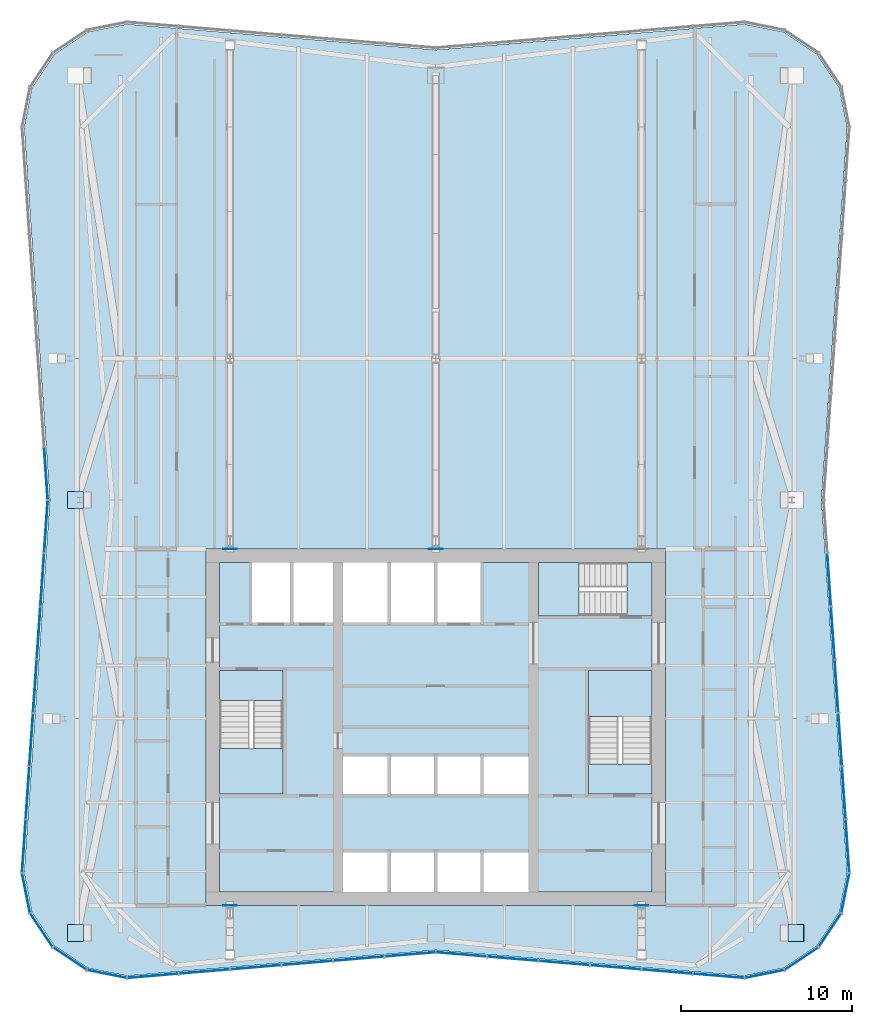
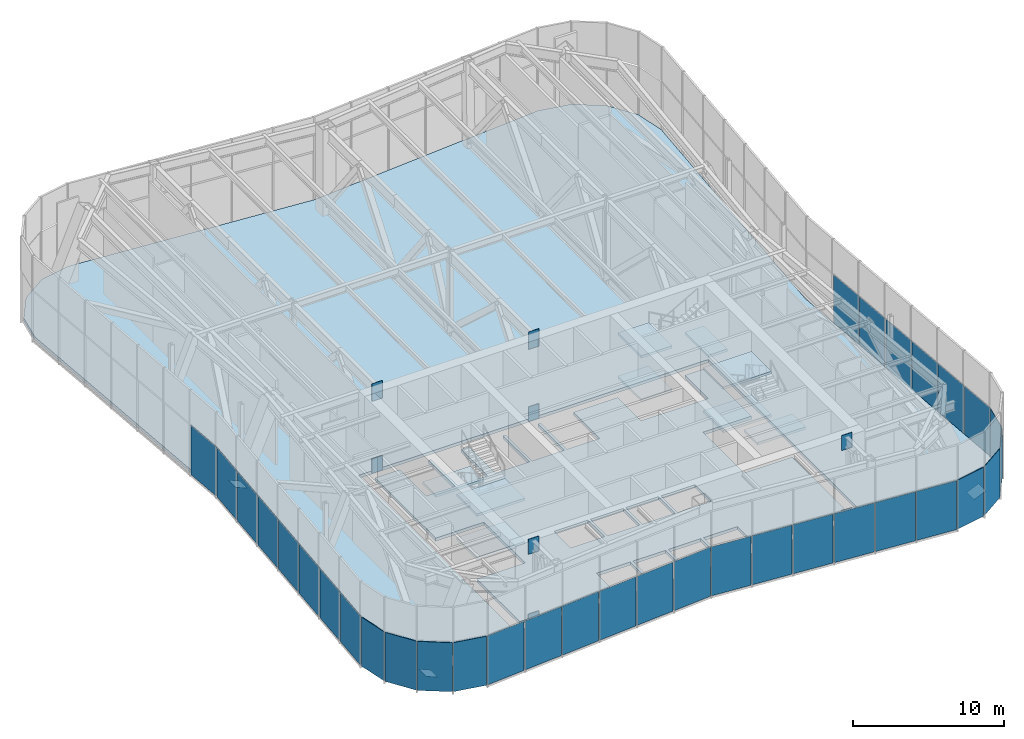
# One storey, part 10 of 17: 45 plates, 11 slabs, 8 elements without a shape of their own.
"""IFC4 building model written with IfcOpenShell, lengths in metres."""

from ifc_helpers import new_model, si_unit, direction, frame, origin, origin_2d, place, context, subcontext, project, spatial, polyline, rectangle, outline, extrude, material, layer, layer_set, type_object, element, aggregate, save


model = new_model("IFC4")

# Units and contexts
model_context = context("Model", 3, precision=1e-05, world=origin(), true_north=direction((0.0, 1.0)))
body_context = subcontext(model_context, "Body", "Model", "MODEL_VIEW")
ifc_project = project(units=[si_unit("LENGTHUNIT", "METRE"), si_unit("AREAUNIT", "SQUARE_METRE"), si_unit("VOLUMEUNIT", "CUBIC_METRE"), si_unit("PLANEANGLEUNIT", "RADIAN"), si_unit("MASSUNIT", "GRAM", prefix="KILO")], contexts=[model_context])

# Site, building, storey
site_placement = place(None, origin())
site = spatial("IfcSite", under=ifc_project, at=site_placement, CompositionType="ELEMENT")
building_placement = place(site_placement, origin())
building = spatial("IfcBuilding", under=site, at=building_placement, Name="Verdant Reach Tower", CompositionType="ELEMENT")
storey_placement = place(building_placement, frame((0.0, 0.0, 282.0)))
storey = spatial("IfcBuildingStorey", under=building, at=storey_placement, Name="L65 Plant", CompositionType="ELEMENT", Elevation=282.0)

# Stair, slabs
ifc_material_1 = material(Name="Concrete C40/50", Category="concrete")
stair_type = type_object("IfcStairType", Name="CO-STAIR", PredefinedType="HALF_TURN_STAIR", material=ifc_material_1)
stair_1_placement = place(storey_placement, origin())
stair_1 = element("IfcStair", 1, at=stair_1_placement, inside=storey, type_object=stair_type, Name="L65 Plant Exit stair 1", PredefinedType="HALF_TURN_STAIR")
ifc_layer_1 = layer(ifc_material_1, 0.199951171875)
ifc_layer_set_1 = layer_set([ifc_layer_1], Name="CO-STAIR-LANDING")
slab_type_1 = type_object("IfcSlabType", Name="CO-STAIR-LANDING", PredefinedType="LANDING", material=ifc_layer_set_1)
slab_1_placement = place(storey_placement, frame((0.0, 0.0, 1.550048828125)))
slab_1 = element("IfcSlab", 2, at=slab_1_placement, type_object=slab_type_1, Name="ST-1 landing 1", PredefinedType="LANDING", context=body_context, shape_type="SweptSolid", body=[
    extrude(outline(polyline([(-12.60009765625, 26.760009765625), (-12.60009765625, 24.10009765625), (-8.89990234375, 24.10009765625), (-8.89990234375, 26.760009765625), (-12.60009765625, 26.760009765625)])), origin(), (0.0, 0.0, 1.0), 0.199951171875),
])
slab_2_placement = place(storey_placement, frame((0.0, 0.0, 3.300048828125)))
slab_2 = element("IfcSlab", 3, at=slab_2_placement, type_object=slab_type_1, Name="ST-1 landing 2", PredefinedType="LANDING", context=body_context, shape_type="SweptSolid", body=[
    extrude(outline(polyline([(-12.60009765625, 31.300048828125), (-12.60009765625, 29.550048828125), (-8.89990234375, 29.550048828125), (-8.89990234375, 31.300048828125), (-12.60009765625, 31.300048828125)])), origin(), (0.0, 0.0, 1.0), 0.199951171875),
])
slab_3_placement = place(storey_placement, frame((0.0, 0.0, 5.050048828125)))
slab_3 = element("IfcSlab", 4, at=slab_3_placement, type_object=slab_type_1, Name="ST-1 landing 3", PredefinedType="LANDING", context=body_context, shape_type="SweptSolid", body=[
    extrude(outline(polyline([(-12.60009765625, 26.760009765625), (-12.60009765625, 24.10009765625), (-8.89990234375, 24.10009765625), (-8.89990234375, 26.760009765625), (-12.60009765625, 26.760009765625)])), origin(), (0.0, 0.0, 1.0), 0.199951171875),
])
aggregate(stair_1, [slab_1, slab_2, slab_3])

stair_2_placement = place(storey_placement, origin())
stair_2 = element("IfcStair", 5, at=stair_2_placement, inside=storey, type_object=stair_type, Name="L65 Plant Exit stair 2", PredefinedType="HALF_TURN_STAIR")
slab_4_placement = place(storey_placement, frame((0.0, 0.0, 1.550048828125)))
slab_4 = element("IfcSlab", 6, at=slab_4_placement, type_object=slab_type_1, Name="ST-2 landing 1", PredefinedType="LANDING", context=body_context, shape_type="SweptSolid", body=[
    extrude(outline(polyline([(12.60009765625, 28.639892578125), (12.60009765625, 31.300048828125), (8.89990234375, 31.300048828125), (8.89990234375, 28.639892578125), (12.60009765625, 28.639892578125)])), origin(), (0.0, 0.0, 1.0), 0.199951171875),
])
slab_5_placement = place(storey_placement, frame((0.0, 0.0, 3.300048828125)))
slab_5 = element("IfcSlab", 7, at=slab_5_placement, type_object=slab_type_1, Name="ST-2 landing 2", PredefinedType="LANDING", context=body_context, shape_type="SweptSolid", body=[
    extrude(outline(polyline([(12.60009765625, 24.10009765625), (12.60009765625, 25.85009765625), (8.89990234375, 25.85009765625), (8.89990234375, 24.10009765625), (12.60009765625, 24.10009765625)])), origin(), (0.0, 0.0, 1.0), 0.199951171875),
])
slab_6_placement = place(storey_placement, frame((0.0, 0.0, 5.050048828125)))
slab_6 = element("IfcSlab", 8, at=slab_6_placement, type_object=slab_type_1, Name="ST-2 landing 3", PredefinedType="LANDING", context=body_context, shape_type="SweptSolid", body=[
    extrude(outline(polyline([(12.60009765625, 28.639892578125), (12.60009765625, 31.300048828125), (8.89990234375, 31.300048828125), (8.89990234375, 28.639892578125), (12.60009765625, 28.639892578125)])), origin(), (0.0, 0.0, 1.0), 0.199951171875),
])
aggregate(stair_2, [slab_4, slab_5, slab_6])

stair_3_placement = place(storey_placement, origin())
stair_3 = element("IfcStair", 9, at=stair_3_placement, inside=storey, type_object=stair_type, Name="L65 Plant Exit stair 3", PredefinedType="HALF_TURN_STAIR")
slab_7_placement = place(storey_placement, frame((0.0, 0.0, 1.550048828125)))
slab_7 = element("IfcSlab", 10, at=slab_7_placement, type_object=slab_type_1, Name="ST-3 landing 1", PredefinedType="LANDING", context=body_context, shape_type="SweptSolid", body=[
    extrude(outline(polyline([(8.360107421875, 37.60009765625), (6.0, 37.60009765625), (6.0, 34.5), (8.360107421875, 34.5), (8.360107421875, 37.60009765625)])), origin(), (0.0, 0.0, 1.0), 0.199951171875),
])
slab_8_placement = place(storey_placement, frame((0.0, 0.0, 3.300048828125)))
slab_8 = element("IfcSlab", 11, at=slab_8_placement, type_object=slab_type_1, Name="ST-3 landing 2", PredefinedType="LANDING", context=body_context, shape_type="SweptSolid", body=[
    extrude(outline(polyline([(12.60009765625, 37.60009765625), (11.14990234375, 37.60009765625), (11.14990234375, 34.5), (12.60009765625, 34.5), (12.60009765625, 37.60009765625)])), origin(), (0.0, 0.0, 1.0), 0.199951171875),
])
slab_9_placement = place(storey_placement, frame((0.0, 0.0, 5.050048828125)))
slab_9 = element("IfcSlab", 12, at=slab_9_placement, type_object=slab_type_1, Name="ST-3 landing 3", PredefinedType="LANDING", context=body_context, shape_type="SweptSolid", body=[
    extrude(outline(polyline([(8.360107421875, 37.60009765625), (6.0, 37.60009765625), (6.0, 34.5), (8.360107421875, 34.5), (8.360107421875, 37.60009765625)])), origin(), (0.0, 0.0, 1.0), 0.199951171875),
])
aggregate(stair_3, [slab_7, slab_8, slab_9])

# Curtain wall, plates
ifc_material_2 = material(Name="Anodised aluminium", Category="aluminium")
curtain_wall_type = type_object("IfcCurtainWallType", Name="EN-CW SYSTEM PLANT", PredefinedType="NOTDEFINED", material=ifc_material_2)
curtain_wall_1_placement = place(storey_placement, origin())
curtain_wall_1 = element("IfcCurtainWall", 13, at=curtain_wall_1_placement, inside=storey, type_object=curtain_wall_type, Name="Curtain wall south-east corner, L65", PredefinedType="NOTDEFINED")
ifc_material_3 = material(Name="Bronze anodised aluminium solid panel", Category="aluminium")
ifc_layer_2 = layer(ifc_material_3, 0.0400390625)
ifc_layer_set_2 = layer_set([ifc_layer_2], Name="EN-PANEL SOLID")
plate_type_1 = type_object("IfcPlateType", Name="EN-PANEL SOLID", PredefinedType="CURTAIN_PANEL", material=ifc_layer_set_2)
plate_1_placement = place(storey_placement, frame((19.174072265625, 13.614013671875, -0.199951171875), z_axis=(0.0, 0.0, 1.0), x_axis=(0.980694678629, 0.195545256419, 0.0)))
plate_1 = element("IfcPlate", 14, at=plate_1_placement, type_object=plate_type_1, Name="Solid panel south-east corner 1.1, L65", PredefinedType="CURTAIN_PANEL", context=body_context, shape_type="SweptSolid", body=[
    extrude(rectangle(XDim=2.304931640625, YDim=0.0400390625, at=origin_2d()), origin(), (0.0, 0.0, 1.0), 3.97509765625),
])
plate_2_placement = place(storey_placement, frame((21.334228515625, 14.510009765625, -0.199951171875), z_axis=(0.0, 0.0, 1.0), x_axis=(0.83145208321, 0.555596466265, 0.0)))
plate_2 = element("IfcPlate", 15, at=plate_2_placement, type_object=plate_type_1, Name="Solid panel south-east corner 2.1, L65", PredefinedType="CURTAIN_PANEL", context=body_context, shape_type="SweptSolid", body=[
    extrude(rectangle(XDim=2.3115234375, YDim=0.0400390625, at=origin_2d()), origin(), (0.0, 0.0, 1.0), 3.97509765625),
])
plate_3_placement = place(storey_placement, frame((22.989990234375, 16.165771484375, -0.199951171875), z_axis=(0.0, 0.0, 1.0), x_axis=(0.555596466265, 0.83145208321, 0.0)))
plate_3 = element("IfcPlate", 16, at=plate_3_placement, type_object=plate_type_1, Name="Solid panel south-east corner 3.1, L65", PredefinedType="CURTAIN_PANEL", context=body_context, shape_type="SweptSolid", body=[
    extrude(rectangle(XDim=2.3115234375, YDim=0.0400390625, at=origin_2d()), origin(), (0.0, 0.0, 1.0), 3.97509765625),
])
plate_4_placement = place(storey_placement, frame((23.885986328125, 18.325439453125, -0.199951171875), z_axis=(0.0, 0.0, 1.0), x_axis=(0.195592962334, 0.980685165119, 0.0)))
plate_4 = element("IfcPlate", 17, at=plate_4_placement, type_object=plate_type_1, Name="Solid panel south-east corner 4.1, L65", PredefinedType="CURTAIN_PANEL", context=body_context, shape_type="SweptSolid", body=[
    extrude(rectangle(XDim=2.303955078125, YDim=0.0400390625, at=origin_2d()), origin(), (0.0, 0.0, 1.0), 3.97509765625),
])
aggregate(curtain_wall_1, [plate_1, plate_2, plate_3, plate_4])

curtain_wall_2_placement = place(storey_placement, origin())
curtain_wall_2 = element("IfcCurtainWall", 18, at=curtain_wall_2_placement, inside=storey, type_object=curtain_wall_type, Name="Curtain wall east, L65", PredefinedType="NOTDEFINED")
plate_5_placement = place(storey_placement, frame((24.011474609375, 21.053955078125, -0.199951171875), z_axis=(0.0, 0.0, 1.0), x_axis=(-0.068469163133, 0.997653233193, 0.0)))
plate_5 = element("IfcPlate", 19, at=plate_5_placement, type_object=plate_type_1, Name="Solid panel east face part 1 1.1, L65", PredefinedType="CURTAIN_PANEL", context=body_context, shape_type="SweptSolid", body=[
    extrude(rectangle(XDim=3.05419921875, YDim=0.0400390625, at=origin_2d()), origin(), (0.0, 0.0, 1.0), 3.97509765625),
])
plate_6_placement = place(storey_placement, frame((23.79736328125, 24.1689453125, -0.199951171875), z_axis=(0.0, 0.0, 1.0), x_axis=(-0.068802091615, 0.997630328423, 0.0)))
plate_6 = element("IfcPlate", 20, at=plate_6_placement, type_object=plate_type_1, Name="Solid panel east face part 1 2.1, L65", PredefinedType="CURTAIN_PANEL", context=body_context, shape_type="SweptSolid", body=[
    extrude(rectangle(XDim=3.03857421875, YDim=0.0400390625, at=origin_2d()), origin(), (0.0, 0.0, 1.0), 3.97509765625),
])
plate_7_placement = place(storey_placement, frame((23.5830078125, 27.276123046875, -0.199951171875), z_axis=(0.0, 0.0, 1.0), x_axis=(-0.068802091615, 0.997630328423, 0.0)))
plate_7 = element("IfcPlate", 21, at=plate_7_placement, type_object=plate_type_1, Name="Solid panel east face part 1 3.1, L65", PredefinedType="CURTAIN_PANEL", context=body_context, shape_type="SweptSolid", body=[
    extrude(rectangle(XDim=3.03857421875, YDim=0.0400390625, at=origin_2d()), origin(), (0.0, 0.0, 1.0), 3.97509765625),
])
plate_8_placement = place(storey_placement, frame((23.36865234375, 30.38330078125, -0.199951171875), z_axis=(0.0, 0.0, 1.0), x_axis=(-0.068802091615, 0.997630328423, 0.0)))
plate_8 = element("IfcPlate", 22, at=plate_8_placement, type_object=plate_type_1, Name="Solid panel east face part 1 4.1, L65", PredefinedType="CURTAIN_PANEL", context=body_context, shape_type="SweptSolid", body=[
    extrude(rectangle(XDim=3.03857421875, YDim=0.0400390625, at=origin_2d()), origin(), (0.0, 0.0, 1.0), 3.97509765625),
])
plate_9_placement = place(storey_placement, frame((23.154541015625, 33.490234375, -0.199951171875), z_axis=(0.0, 0.0, 1.0), x_axis=(-0.068802091615, 0.997630328423, 0.0)))
plate_9 = element("IfcPlate", 23, at=plate_9_placement, type_object=plate_type_1, Name="Solid panel east face part 1 5.1, L65", PredefinedType="CURTAIN_PANEL", context=body_context, shape_type="SweptSolid", body=[
    extrude(rectangle(XDim=3.03857421875, YDim=0.0400390625, at=origin_2d()), origin(), (0.0, 0.0, 1.0), 3.97509765625),
])
plate_10_placement = place(storey_placement, frame((22.940185546875, 36.597412109375, -0.199951171875), z_axis=(0.0, 0.0, 1.0), x_axis=(-0.068802091615, 0.997630328423, 0.0)))
plate_10 = element("IfcPlate", 24, at=plate_10_placement, type_object=plate_type_1, Name="Solid panel east face part 1 6.1, L65", PredefinedType="CURTAIN_PANEL", context=body_context, shape_type="SweptSolid", body=[
    extrude(rectangle(XDim=3.03857421875, YDim=0.0400390625, at=origin_2d()), origin(), (0.0, 0.0, 1.0), 3.97509765625),
])
aggregate(curtain_wall_2, [plate_5, plate_6, plate_7, plate_8, plate_9, plate_10])

curtain_wall_3_placement = place(storey_placement, origin())
curtain_wall_3 = element("IfcCurtainWall", 25, at=curtain_wall_3_placement, inside=storey, type_object=curtain_wall_type, Name="Curtain wall west, L65", PredefinedType="NOTDEFINED")
plate_11_placement = place(storey_placement, frame((-22.72607421875, 42.799560546875, -0.199951171875), z_axis=(0.0, 0.0, 1.0), x_axis=(0.068892655483, -0.997624078509, 0.0)))
plate_11 = element("IfcPlate", 26, at=plate_11_placement, type_object=plate_type_1, Name="Solid panel west face part 1 7.1, L65", PredefinedType="CURTAIN_PANEL", context=body_context, shape_type="SweptSolid", body=[
    extrude(rectangle(XDim=3.0302734375, YDim=0.0400390625, at=origin_2d()), origin(), (0.0, 0.0, 1.0), 3.97509765625),
])
plate_12_placement = place(storey_placement, frame((-22.72607421875, 39.700439453125, -0.199951171875), z_axis=(0.0, 0.0, 1.0), x_axis=(-0.068892655483, -0.997624078509, 0.0)))
plate_12 = element("IfcPlate", 27, at=plate_12_placement, type_object=plate_type_1, Name="Solid panel west face part 2 1.1, L65", PredefinedType="CURTAIN_PANEL", context=body_context, shape_type="SweptSolid", body=[
    extrude(rectangle(XDim=3.0302734375, YDim=0.0400390625, at=origin_2d()), origin(), (0.0, 0.0, 1.0), 3.97509765625),
])
plate_13_placement = place(storey_placement, frame((-22.940185546875, 36.597412109375, -0.199951171875), z_axis=(0.0, 0.0, 1.0), x_axis=(-0.068802091615, -0.997630328423, 0.0)))
plate_13 = element("IfcPlate", 28, at=plate_13_placement, type_object=plate_type_1, Name="Solid panel west face part 2 2.1, L65", PredefinedType="CURTAIN_PANEL", context=body_context, shape_type="SweptSolid", body=[
    extrude(rectangle(XDim=3.03857421875, YDim=0.0400390625, at=origin_2d()), origin(), (0.0, 0.0, 1.0), 3.97509765625),
])
plate_14_placement = place(storey_placement, frame((-23.154541015625, 33.490234375, -0.199951171875), z_axis=(0.0, 0.0, 1.0), x_axis=(-0.068802091615, -0.997630328423, 0.0)))
plate_14 = element("IfcPlate", 29, at=plate_14_placement, type_object=plate_type_1, Name="Solid panel west face part 2 3.1, L65", PredefinedType="CURTAIN_PANEL", context=body_context, shape_type="SweptSolid", body=[
    extrude(rectangle(XDim=3.03857421875, YDim=0.0400390625, at=origin_2d()), origin(), (0.0, 0.0, 1.0), 3.97509765625),
])
plate_15_placement = place(storey_placement, frame((-23.36865234375, 30.38330078125, -0.199951171875), z_axis=(0.0, 0.0, 1.0), x_axis=(-0.068802091615, -0.997630328423, 0.0)))
plate_15 = element("IfcPlate", 30, at=plate_15_placement, type_object=plate_type_1, Name="Solid panel west face part 2 4.1, L65", PredefinedType="CURTAIN_PANEL", context=body_context, shape_type="SweptSolid", body=[
    extrude(rectangle(XDim=3.03857421875, YDim=0.0400390625, at=origin_2d()), origin(), (0.0, 0.0, 1.0), 3.97509765625),
])
plate_16_placement = place(storey_placement, frame((-23.5830078125, 27.276123046875, -0.199951171875), z_axis=(0.0, 0.0, 1.0), x_axis=(-0.068802091615, -0.997630328423, 0.0)))
plate_16 = element("IfcPlate", 31, at=plate_16_placement, type_object=plate_type_1, Name="Solid panel west face part 2 5.1, L65", PredefinedType="CURTAIN_PANEL", context=body_context, shape_type="SweptSolid", body=[
    extrude(rectangle(XDim=3.03857421875, YDim=0.0400390625, at=origin_2d()), origin(), (0.0, 0.0, 1.0), 3.97509765625),
])
plate_17_placement = place(storey_placement, frame((-23.79736328125, 24.1689453125, -0.199951171875), z_axis=(0.0, 0.0, 1.0), x_axis=(-0.068802091615, -0.997630328423, 0.0)))
plate_17 = element("IfcPlate", 32, at=plate_17_placement, type_object=plate_type_1, Name="Solid panel west face part 2 6.1, L65", PredefinedType="CURTAIN_PANEL", context=body_context, shape_type="SweptSolid", body=[
    extrude(rectangle(XDim=3.03857421875, YDim=0.0400390625, at=origin_2d()), origin(), (0.0, 0.0, 1.0), 3.97509765625),
])
plate_18_placement = place(storey_placement, frame((-24.011474609375, 21.053955078125, -0.199951171875), z_axis=(0.0, 0.0, 1.0), x_axis=(-0.068469163133, -0.997653233193, 0.0)))
plate_18 = element("IfcPlate", 33, at=plate_18_placement, type_object=plate_type_1, Name="Solid panel west face part 2 7.1, L65", PredefinedType="CURTAIN_PANEL", context=body_context, shape_type="SweptSolid", body=[
    extrude(rectangle(XDim=3.05419921875, YDim=0.0400390625, at=origin_2d()), origin(), (0.0, 0.0, 1.0), 3.97509765625),
])
aggregate(curtain_wall_3, [plate_11, plate_12, plate_13, plate_14, plate_15, plate_16, plate_17, plate_18])

curtain_wall_4_placement = place(storey_placement, origin())
curtain_wall_4 = element("IfcCurtainWall", 34, at=curtain_wall_4_placement, inside=storey, type_object=curtain_wall_type, Name="Curtain wall south-west corner, L65", PredefinedType="NOTDEFINED")
plate_19_placement = place(storey_placement, frame((-23.885986328125, 18.325439453125, -0.199951171875), z_axis=(0.0, 0.0, 1.0), x_axis=(0.195592962334, -0.980685165119, 0.0)))
plate_19 = element("IfcPlate", 35, at=plate_19_placement, type_object=plate_type_1, Name="Solid panel south-west corner 1.1, L65", PredefinedType="CURTAIN_PANEL", context=body_context, shape_type="SweptSolid", body=[
    extrude(rectangle(XDim=2.303955078125, YDim=0.0400390625, at=origin_2d()), origin(), (0.0, 0.0, 1.0), 3.97509765625),
])
plate_20_placement = place(storey_placement, frame((-22.989990234375, 16.165771484375, -0.199951171875), z_axis=(0.0, 0.0, 1.0), x_axis=(0.555596466265, -0.83145208321, 0.0)))
plate_20 = element("IfcPlate", 36, at=plate_20_placement, type_object=plate_type_1, Name="Solid panel south-west corner 2.1, L65", PredefinedType="CURTAIN_PANEL", context=body_context, shape_type="SweptSolid", body=[
    extrude(rectangle(XDim=2.3115234375, YDim=0.0400390625, at=origin_2d()), origin(), (0.0, 0.0, 1.0), 3.97509765625),
])
plate_21_placement = place(storey_placement, frame((-21.334228515625, 14.510009765625, -0.199951171875), z_axis=(0.0, 0.0, 1.0), x_axis=(0.83145208321, -0.555596466265, 0.0)))
plate_21 = element("IfcPlate", 37, at=plate_21_placement, type_object=plate_type_1, Name="Solid panel south-west corner 3.1, L65", PredefinedType="CURTAIN_PANEL", context=body_context, shape_type="SweptSolid", body=[
    extrude(rectangle(XDim=2.3115234375, YDim=0.0400390625, at=origin_2d()), origin(), (0.0, 0.0, 1.0), 3.97509765625),
])
plate_22_placement = place(storey_placement, frame((-19.174072265625, 13.614013671875, -0.199951171875), z_axis=(0.0, 0.0, 1.0), x_axis=(0.980694678629, -0.195545256419, 0.0)))
plate_22 = element("IfcPlate", 38, at=plate_22_placement, type_object=plate_type_1, Name="Solid panel south-west corner 4.1, L65", PredefinedType="CURTAIN_PANEL", context=body_context, shape_type="SweptSolid", body=[
    extrude(rectangle(XDim=2.304931640625, YDim=0.0400390625, at=origin_2d()), origin(), (0.0, 0.0, 1.0), 3.97509765625),
])
aggregate(curtain_wall_4, [plate_19, plate_20, plate_21, plate_22])

curtain_wall_5_placement = place(storey_placement, origin())
curtain_wall_5 = element("IfcCurtainWall", 39, at=curtain_wall_5_placement, inside=storey, type_object=curtain_wall_type, Name="Curtain wall south, L65", PredefinedType="NOTDEFINED")
plate_23_placement = place(storey_placement, frame((-16.49853515625, 13.50634765625, -0.199951171875), z_axis=(0.0, 0.0, 1.0), x_axis=(0.996577509664, 0.082663578629, 0.0)))
plate_23 = element("IfcPlate", 40, at=plate_23_placement, type_object=plate_type_1, Name="Solid panel south face part 1 1.1, L65", PredefinedType="CURTAIN_PANEL", context=body_context, shape_type="SweptSolid", body=[
    extrude(rectangle(XDim=2.950927734375, YDim=0.0400390625, at=origin_2d()), origin(), (0.0, 0.0, 1.0), 3.97509765625),
])
plate_24_placement = place(storey_placement, frame((-13.490234375, 13.75634765625, -0.199951171875), z_axis=(0.0, 0.0, 1.0), x_axis=(0.996545758244, 0.083045479859, 0.0)))
plate_24 = element("IfcPlate", 41, at=plate_24_placement, type_object=plate_type_1, Name="Solid panel south face part 1 2.1, L65", PredefinedType="CURTAIN_PANEL", context=body_context, shape_type="SweptSolid", body=[
    extrude(rectangle(XDim=2.934326171875, YDim=0.0400390625, at=origin_2d()), origin(), (0.0, 0.0, 1.0), 3.97509765625),
])
plate_25_placement = place(storey_placement, frame((-10.490234375, 14.00634765625, -0.199951171875), z_axis=(0.0, 0.0, 1.0), x_axis=(0.996545758244, 0.083045479859, 0.0)))
plate_25 = element("IfcPlate", 42, at=plate_25_placement, type_object=plate_type_1, Name="Solid panel south face part 1 3.1, L65", PredefinedType="CURTAIN_PANEL", context=body_context, shape_type="SweptSolid", body=[
    extrude(rectangle(XDim=2.934326171875, YDim=0.0400390625, at=origin_2d()), origin(), (0.0, 0.0, 1.0), 3.97509765625),
])
plate_26_placement = place(storey_placement, frame((-7.490234375, 14.25634765625, -0.199951171875), z_axis=(0.0, 0.0, 1.0), x_axis=(0.996545758244, 0.083045479859, 0.0)))
plate_26 = element("IfcPlate", 43, at=plate_26_placement, type_object=plate_type_1, Name="Solid panel south face part 1 4.1, L65", PredefinedType="CURTAIN_PANEL", context=body_context, shape_type="SweptSolid", body=[
    extrude(rectangle(XDim=2.934326171875, YDim=0.0400390625, at=origin_2d()), origin(), (0.0, 0.0, 1.0), 3.97509765625),
])
plate_27_placement = place(storey_placement, frame((-4.490234375, 14.50634765625, -0.199951171875), z_axis=(0.0, 0.0, 1.0), x_axis=(0.996545758244, 0.083045479859, 0.0)))
plate_27 = element("IfcPlate", 44, at=plate_27_placement, type_object=plate_type_1, Name="Solid panel south face part 1 5.1, L65", PredefinedType="CURTAIN_PANEL", context=body_context, shape_type="SweptSolid", body=[
    extrude(rectangle(XDim=2.934326171875, YDim=0.0400390625, at=origin_2d()), origin(), (0.0, 0.0, 1.0), 3.97509765625),
])
plate_28_placement = place(storey_placement, frame((-1.4951171875, 14.756103515625, -0.199951171875), z_axis=(0.0, 0.0, 1.0), x_axis=(0.996534372104, 0.083182000546, 0.0)))
plate_28 = element("IfcPlate", 45, at=plate_28_placement, type_object=plate_type_1, Name="Solid panel south face part 1 6.1, L65", PredefinedType="CURTAIN_PANEL", context=body_context, shape_type="SweptSolid", body=[
    extrude(rectangle(XDim=2.924560546875, YDim=0.0400390625, at=origin_2d()), origin(), (0.0, 0.0, 1.0), 3.97509765625),
])
plate_29_placement = place(storey_placement, frame((1.4951171875, 14.756103515625, -0.199951171875), z_axis=(0.0, 0.0, 1.0), x_axis=(0.996534372104, -0.083182000546, 0.0)))
plate_29 = element("IfcPlate", 46, at=plate_29_placement, type_object=plate_type_1, Name="Solid panel south face part 2 1.1, L65", PredefinedType="CURTAIN_PANEL", context=body_context, shape_type="SweptSolid", body=[
    extrude(rectangle(XDim=2.924560546875, YDim=0.0400390625, at=origin_2d()), origin(), (0.0, 0.0, 1.0), 3.97509765625),
])
plate_30_placement = place(storey_placement, frame((4.490234375, 14.50634765625, -0.199951171875), z_axis=(0.0, 0.0, 1.0), x_axis=(0.996545758244, -0.083045479859, 0.0)))
plate_30 = element("IfcPlate", 47, at=plate_30_placement, type_object=plate_type_1, Name="Solid panel south face part 2 2.1, L65", PredefinedType="CURTAIN_PANEL", context=body_context, shape_type="SweptSolid", body=[
    extrude(rectangle(XDim=2.934326171875, YDim=0.0400390625, at=origin_2d()), origin(), (0.0, 0.0, 1.0), 3.97509765625),
])
plate_31_placement = place(storey_placement, frame((7.490234375, 14.25634765625, -0.199951171875), z_axis=(0.0, 0.0, 1.0), x_axis=(0.996545758244, -0.083045479859, 0.0)))
plate_31 = element("IfcPlate", 48, at=plate_31_placement, type_object=plate_type_1, Name="Solid panel south face part 2 3.1, L65", PredefinedType="CURTAIN_PANEL", context=body_context, shape_type="SweptSolid", body=[
    extrude(rectangle(XDim=2.934326171875, YDim=0.0400390625, at=origin_2d()), origin(), (0.0, 0.0, 1.0), 3.97509765625),
])
plate_32_placement = place(storey_placement, frame((10.490234375, 14.00634765625, -0.199951171875), z_axis=(0.0, 0.0, 1.0), x_axis=(0.996545758244, -0.083045479859, 0.0)))
plate_32 = element("IfcPlate", 49, at=plate_32_placement, type_object=plate_type_1, Name="Solid panel south face part 2 4.1, L65", PredefinedType="CURTAIN_PANEL", context=body_context, shape_type="SweptSolid", body=[
    extrude(rectangle(XDim=2.934326171875, YDim=0.0400390625, at=origin_2d()), origin(), (0.0, 0.0, 1.0), 3.97509765625),
])
plate_33_placement = place(storey_placement, frame((13.490234375, 13.75634765625, -0.199951171875), z_axis=(0.0, 0.0, 1.0), x_axis=(0.996545758244, -0.083045479859, 0.0)))
plate_33 = element("IfcPlate", 50, at=plate_33_placement, type_object=plate_type_1, Name="Solid panel south face part 2 5.1, L65", PredefinedType="CURTAIN_PANEL", context=body_context, shape_type="SweptSolid", body=[
    extrude(rectangle(XDim=2.934326171875, YDim=0.0400390625, at=origin_2d()), origin(), (0.0, 0.0, 1.0), 3.97509765625),
])
plate_34_placement = place(storey_placement, frame((16.49853515625, 13.50634765625, -0.199951171875), z_axis=(0.0, 0.0, 1.0), x_axis=(0.996577509664, -0.082663578629, 0.0)))
plate_34 = element("IfcPlate", 51, at=plate_34_placement, type_object=plate_type_1, Name="Solid panel south face part 2 6.1, L65", PredefinedType="CURTAIN_PANEL", context=body_context, shape_type="SweptSolid", body=[
    extrude(rectangle(XDim=2.950927734375, YDim=0.0400390625, at=origin_2d()), origin(), (0.0, 0.0, 1.0), 3.97509765625),
])
aggregate(curtain_wall_5, [plate_23, plate_24, plate_25, plate_26, plate_27, plate_28, plate_29, plate_30, plate_31, plate_32, plate_33, plate_34])

# Plates
ifc_material_4 = material(Name="Steel S460", Category="steel")
ifc_layer_3 = layer(ifc_material_4, 0.030029296875)
ifc_layer_set_3 = layer_set([ifc_layer_3], Name="ST-PLATE-CASTIN30")
plate_type_2 = type_object("IfcPlateType", Name="ST-PLATE-CASTIN30", PredefinedType="SHEET", material=ifc_layer_set_3)
plate_35_placement = place(storey_placement, frame((-12.0, 38.385009765625, -0.19287109375), z_axis=(0.0, 0.0, 1.0), x_axis=(1.0, 0.0, 0.0)))
element("IfcPlate", 52, at=plate_35_placement, inside=storey, type_object=plate_type_2, Name="CAST-IN PLATE, belt truss C north bottom chord, L65 Plant", PredefinedType="SHEET", context=body_context, shape_type="SweptSolid", body=[
    extrude(rectangle(XDim=0.800048828125, YDim=0.030029296875, at=origin_2d()), origin(), (0.0, 0.0, 1.0), 1.199951171875),
])
plate_36_placement = place(storey_placement, frame((-12.0, 38.385009765625, 5.662109375), z_axis=(0.0, 0.0, 1.0), x_axis=(1.0, 0.0, 0.0)))
element("IfcPlate", 53, at=plate_36_placement, inside=storey, type_object=plate_type_2, Name="CAST-IN PLATE, belt truss C north top chord, L65 Plant", PredefinedType="SHEET", context=body_context, shape_type="SweptSolid", body=[
    extrude(rectangle(XDim=0.800048828125, YDim=0.030029296875, at=origin_2d()), origin(), (0.0, 0.0, 1.0), 1.407958984375),
])
plate_37_placement = place(storey_placement, frame((-12.0, 17.614990234375, -0.19287109375), z_axis=(0.0, 0.0, 1.0), x_axis=(1.0, 0.0, 0.0)))
element("IfcPlate", 54, at=plate_37_placement, inside=storey, type_object=plate_type_2, Name="CAST-IN PLATE, belt truss C south bottom chord, L65 Plant", PredefinedType="SHEET", context=body_context, shape_type="SweptSolid", body=[
    extrude(rectangle(XDim=0.800048828125, YDim=0.030029296875, at=origin_2d()), origin(), (0.0, 0.0, 1.0), 1.199951171875),
])
plate_38_placement = place(storey_placement, frame((-12.0, 17.614990234375, 5.85595703125), z_axis=(0.0, 0.0, 1.0), x_axis=(1.0, 0.0, 0.0)))
element("IfcPlate", 55, at=plate_38_placement, inside=storey, type_object=plate_type_2, Name="CAST-IN PLATE, belt truss C south top chord, L65 Plant", PredefinedType="SHEET", context=body_context, shape_type="SweptSolid", body=[
    extrude(rectangle(XDim=0.800048828125, YDim=0.030029296875, at=origin_2d()), origin(), (0.0, 0.0, 1.0), 1.214111328125),
])
plate_39_placement = place(storey_placement, frame((0.0, 38.385009765625, -0.19287109375), z_axis=(0.0, 0.0, 1.0), x_axis=(1.0, 0.0, 0.0)))
element("IfcPlate", 56, at=plate_39_placement, inside=storey, type_object=plate_type_2, Name="CAST-IN PLATE, belt truss D north bottom chord, L65 Plant", PredefinedType="SHEET", context=body_context, shape_type="SweptSolid", body=[
    extrude(rectangle(XDim=0.800048828125, YDim=0.030029296875, at=origin_2d()), origin(), (0.0, 0.0, 1.0), 1.199951171875),
])
plate_40_placement = place(storey_placement, frame((0.0, 38.385009765625, 5.662109375), z_axis=(0.0, 0.0, 1.0), x_axis=(1.0, 0.0, 0.0)))
element("IfcPlate", 57, at=plate_40_placement, inside=storey, type_object=plate_type_2, Name="CAST-IN PLATE, belt truss D north top chord, L65 Plant", PredefinedType="SHEET", context=body_context, shape_type="SweptSolid", body=[
    extrude(rectangle(XDim=0.800048828125, YDim=0.030029296875, at=origin_2d()), origin(), (0.0, 0.0, 1.0), 1.407958984375),
])
plate_41_placement = place(storey_placement, frame((12.0, 17.614990234375, -0.19287109375), z_axis=(0.0, 0.0, 1.0), x_axis=(1.0, 0.0, 0.0)))
element("IfcPlate", 58, at=plate_41_placement, inside=storey, type_object=plate_type_2, Name="CAST-IN PLATE, belt truss E south bottom chord, L65 Plant", PredefinedType="SHEET", context=body_context, shape_type="SweptSolid", body=[
    extrude(rectangle(XDim=0.800048828125, YDim=0.030029296875, at=origin_2d()), origin(), (0.0, 0.0, 1.0), 1.199951171875),
])
plate_42_placement = place(storey_placement, frame((12.0, 17.614990234375, 5.85595703125), z_axis=(0.0, 0.0, 1.0), x_axis=(1.0, 0.0, 0.0)))
element("IfcPlate", 59, at=plate_42_placement, inside=storey, type_object=plate_type_2, Name="CAST-IN PLATE, belt truss E south top chord, L65 Plant", PredefinedType="SHEET", context=body_context, shape_type="SweptSolid", body=[
    extrude(rectangle(XDim=0.800048828125, YDim=0.030029296875, at=origin_2d()), origin(), (0.0, 0.0, 1.0), 1.214111328125),
])
ifc_layer_4 = layer(ifc_material_4, 0.02001953125)
ifc_layer_set_4 = layer_set([ifc_layer_4], Name="ST-PLATE-END20")
plate_type_3 = type_object("IfcPlateType", Name="ST-PLATE-END20", PredefinedType="SHEET", material=ifc_layer_set_4)
for number, where, z_axis, x_axis, name in (
    (60, (21.0078125, 16.0, 0.204345703125), (-0.392438685048, 0.0, 0.919778168081), (0.0, -1.0, 0.0), "Cap plate, mega column south-east, L65 Plant"),
    (61, (-21.0078125, 16.0, 0.204345703125), (0.392438685048, 0.0, 0.919778168081), (0.0, 1.0, 0.0), "Cap plate, mega column south-west, L65 Plant"),
    (62, (-21.0078125, 41.25, 0.204345703125), (0.392438685048, 0.0, 0.919778168081), (0.0, 1.0, 0.0), "Cap plate, mega column west, L65 Plant"),
):
    element("IfcPlate", number, at=place(storey_placement, frame(where, z_axis=z_axis, x_axis=x_axis)), inside=storey, type_object=plate_type_3, Name=name, PredefinedType="SHEET", context=body_context, shape_type="SweptSolid", body=[
        extrude(rectangle(XDim=1.0, YDim=1.0, at=origin_2d()), origin(), (0.0, 0.0, 1.0), 0.02001953125),
    ])

# Slabs
ifc_material_5 = material(Name="Concrete C35/45", Category="concrete")
ifc_layer_5 = layer(ifc_material_5, 0.25)
ifc_layer_set_5 = layer_set([ifc_layer_5], Name="ST-SLAB-250")
slab_type_2 = type_object("IfcSlabType", Name="ST-SLAB-250", PredefinedType="FLOOR", material=ifc_layer_set_5)
slab_10_placement = place(storey_placement, frame((0.0, 0.0, -0.25)))
element("IfcSlab", 63, at=slab_10_placement, inside=storey, type_object=slab_type_2, Name="Floor slab L65 Plant", PredefinedType="FLOOR", context=body_context, shape_type="SweptSolid", body=[
    extrude(outline(polyline([(0.0, 15.0), (-18.0, 13.5), (-20.296142578125, 13.956787109375), (-22.24267578125, 15.25732421875), (-23.543212890625, 17.203857421875), (-24.0, 19.5), (-22.5, 41.25), (-24.0, 63.0), (-23.543212890625, 65.296142578125), (-22.24267578125, 67.24267578125), (-20.296142578125, 68.543212890625), (-18.0, 69.0), (0.0, 67.5), (18.0, 69.0), (20.296142578125, 68.543212890625), (22.24267578125, 67.24267578125), (23.543212890625, 65.296142578125), (24.0, 63.0), (22.5, 41.25), (24.0, 19.5), (23.543212890625, 17.203857421875), (22.24267578125, 15.25732421875), (20.296142578125, 13.956787109375), (18.0, 13.5), (0.0, 15.0)]), holes=[polyline([(13.39990234375, 38.39990234375), (-13.39990234375, 38.39990234375), (-13.39990234375, 17.60009765625), (13.39990234375, 17.60009765625), (13.39990234375, 38.39990234375)])]), origin(), (0.0, 0.0, 1.0), 0.25),
])
slab_11_placement = place(storey_placement, frame((0.0, 0.0, -0.25)))
element("IfcSlab", 64, at=slab_11_placement, inside=storey, type_object=slab_type_2, Name="Core floor slab L65 Plant", PredefinedType="FLOOR", context=body_context, shape_type="SweptSolid", body=[
    extrude(outline(polyline([(12.60009765625, 18.39990234375), (5.39990234375, 18.39990234375), (5.39990234375, 20.699951171875), (2.800048828125, 20.699951171875), (2.800048828125, 18.39990234375), (2.60009765625, 18.39990234375), (2.60009765625, 20.699951171875), (0.10009765625, 20.699951171875), (0.10009765625, 18.39990234375), (-0.10009765625, 18.39990234375), (-0.10009765625, 20.699951171875), (-2.60009765625, 20.699951171875), (-2.60009765625, 18.39990234375), (-2.800048828125, 18.39990234375), (-2.800048828125, 20.699951171875), (-5.39990234375, 20.699951171875), (-5.39990234375, 18.39990234375), (-12.60009765625, 18.39990234375), (-12.60009765625, 24.10009765625), (-8.89990234375, 24.10009765625), (-8.89990234375, 29.548095703125), (-12.60009765625, 29.548095703125), (-12.60009765625, 37.60009765625), (-10.699951171875, 37.60009765625), (-10.699951171875, 34.10009765625), (-8.5, 34.10009765625), (-8.5, 37.60009765625), (-8.300048828125, 37.60009765625), (-8.300048828125, 34.10009765625), (-6.0, 34.10009765625), (-6.0, 37.60009765625), (-5.39990234375, 37.60009765625), (-5.39990234375, 34.10009765625), (-2.800048828125, 34.10009765625), (-2.800048828125, 37.60009765625), (-2.60009765625, 37.60009765625), (-2.60009765625, 34.10009765625), (-0.10009765625, 34.10009765625), (-0.10009765625, 37.60009765625), (0.10009765625, 37.60009765625), (0.10009765625, 34.10009765625), (2.60009765625, 34.10009765625), (2.60009765625, 37.60009765625), (6.0, 37.60009765625), (6.0, 34.5), (11.14794921875, 34.5), (11.14794921875, 37.60009765625), (12.60009765625, 37.60009765625), (12.60009765625, 31.300048828125), (8.89990234375, 31.300048828125), (8.89990234375, 25.85205078125), (12.60009765625, 25.85205078125), (12.60009765625, 18.39990234375)]), holes=[polyline([(-2.800048828125, 24.10009765625), (-2.800048828125, 26.300048828125), (-5.39990234375, 26.300048828125), (-5.39990234375, 24.10009765625), (-2.800048828125, 24.10009765625)]), polyline([(-0.10009765625, 24.10009765625), (-0.10009765625, 26.300048828125), (-2.60009765625, 26.300048828125), (-2.60009765625, 24.10009765625), (-0.10009765625, 24.10009765625)]), polyline([(2.60009765625, 24.10009765625), (2.60009765625, 26.300048828125), (0.10009765625, 26.300048828125), (0.10009765625, 24.10009765625), (2.60009765625, 24.10009765625)]), polyline([(5.39990234375, 24.10009765625), (5.39990234375, 26.300048828125), (2.800048828125, 26.300048828125), (2.800048828125, 24.10009765625), (5.39990234375, 24.10009765625)])]), origin(), (0.0, 0.0, 1.0), 0.25),
])

save(model, "model.ifc")
